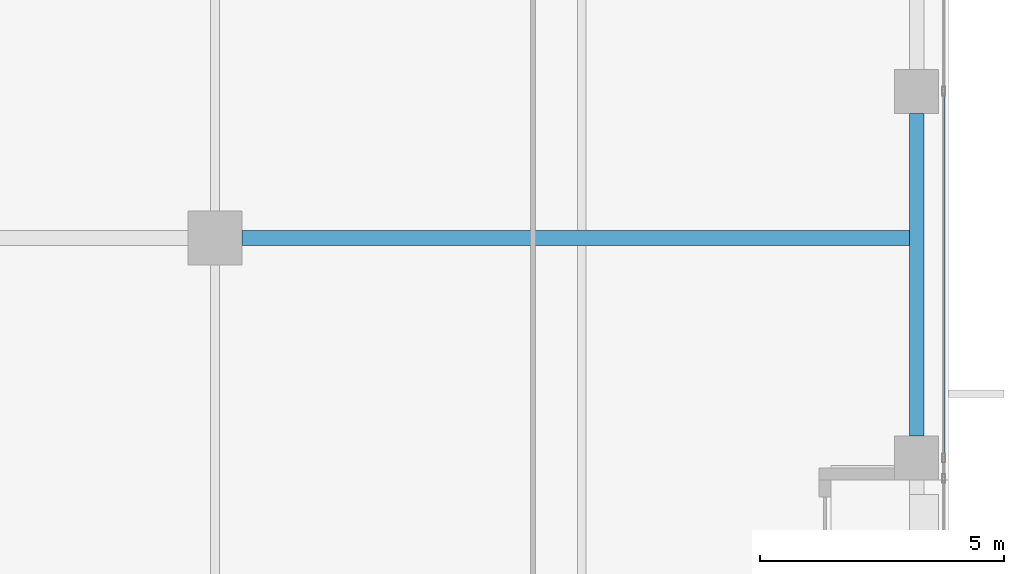
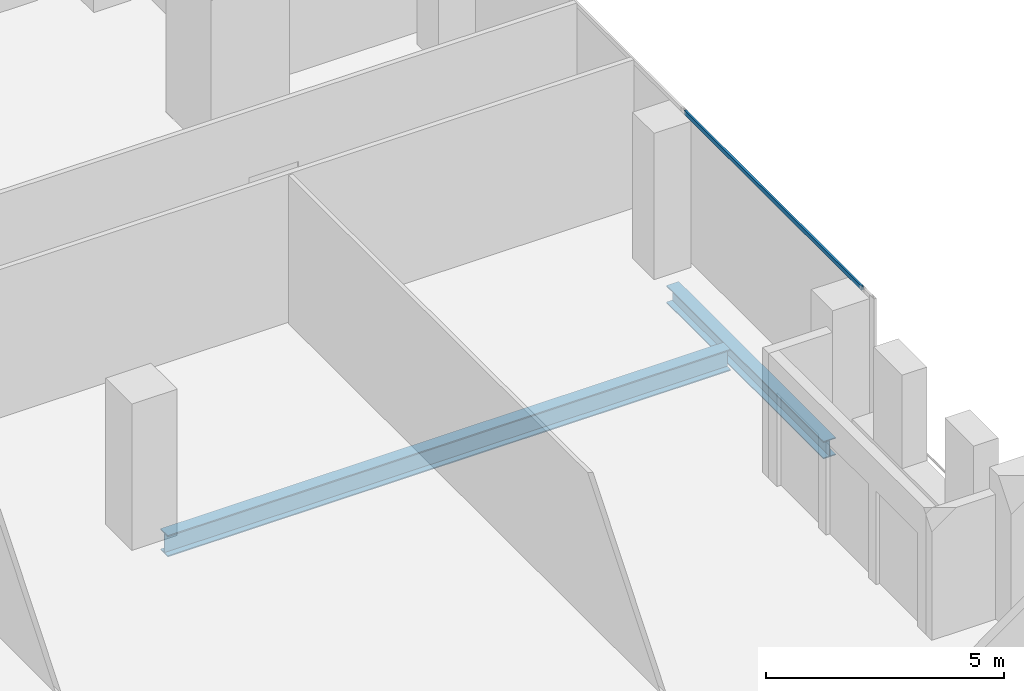
# One storey, part 14 of 36: 2 beams, 1 member, 1 element without a shape of its own.
"""IFC4 building model written with IfcOpenShell, lengths in metres."""

from ifc_helpers import new_model, si_unit, direction, frame, origin, origin_2d, place, context, subcontext, project, spatial, hollow_rectangle, i_section, extrude, source, transform, mapped, material, material_profile, profile_set, type_object, element, aggregate, save


model = new_model("IFC4")

# Units and contexts
model_context = context("Model", 3, precision=1e-05, world=origin(), true_north=direction((0.0, 1.0)))
body_context = subcontext(model_context, "Body", "Model", "MODEL_VIEW")
ifc_project = project(units=[si_unit("LENGTHUNIT", "METRE"), si_unit("AREAUNIT", "SQUARE_METRE"), si_unit("VOLUMEUNIT", "CUBIC_METRE"), si_unit("PLANEANGLEUNIT", "RADIAN"), si_unit("MASSUNIT", "GRAM", prefix="KILO")], contexts=[model_context])

# Site, building, storey
site_placement = place(None, origin())
site = spatial("IfcSite", under=ifc_project, at=site_placement, CompositionType="ELEMENT")
building_placement = place(site_placement, origin())
building = spatial("IfcBuilding", under=site, at=building_placement, Name="Khomas Fold Tower", CompositionType="ELEMENT")
storey_placement = place(building_placement, frame((0.0, 0.0, 226.199951171875)))
storey = spatial("IfcBuildingStorey", under=building, at=storey_placement, Name="L50", CompositionType="ELEMENT", Elevation=226.199951171875)

# Beams
ifc_material_1 = material(Name="Steel S355", Category="steel")
ifc_material_profile_1 = material_profile(ifc_material_1, i_section(OverallWidth=0.300048828125, OverallDepth=0.449951171875, WebThickness=0.013916015625, FlangeThickness=0.02587890625, at=origin_2d()), Name="HE 450 B")
ifc_profile_set_1 = profile_set([ifc_material_profile_1], Name="Steel S355")
beam_type_1 = type_object("IfcBeamType", Name="HE 450 B spandrel SB4", PredefinedType="SPANDREL", material=ifc_profile_set_1)
shared_shape_1 = source(origin(), body_context, "Body", "SweptSolid", [
    extrude(i_section(OverallWidth=0.300048828125, OverallDepth=0.449951171875, WebThickness=0.013916015625, FlangeThickness=0.02587890625, at=origin_2d()), origin(), (0.0, 0.0, 1.0), 6.60009765625),
])
beam_1_placement = place(storey_placement, frame((48.85009765625, 27.449951171875, -0.474853515625), z_axis=(0.0, 1.0, 0.0), x_axis=(-1.0, 0.0, 0.0)))
element("IfcBeam", 1, at=beam_1_placement, inside=storey, type_object=beam_type_1, Name="SB4", PredefinedType="SPANDREL", context=body_context, shape_type="MappedRepresentation", body=[
    mapped(shared_shape_1, transform((0.0, 0.0, 0.0))),
])
ifc_material_2 = material(Name="Steel S355", Category="steel")
ifc_material_profile_2 = material_profile(ifc_material_2, i_section(OverallWidth=0.300048828125, OverallDepth=0.550048828125, WebThickness=0.014892578125, FlangeThickness=0.029052734375, at=origin_2d()), Name="HE 550 B")
ifc_profile_set_2 = profile_set([ifc_material_profile_2], Name="Steel S355")
beam_type_2 = type_object("IfcBeamType", Name="HE 550 B beam GB4", PredefinedType="BEAM", material=ifc_profile_set_2)
shared_shape_2 = source(origin(), body_context, "Body", "SweptSolid", [
    extrude(i_section(OverallWidth=0.300048828125, OverallDepth=0.550048828125, WebThickness=0.014892578125, FlangeThickness=0.029052734375, at=origin_2d()), origin(), (0.0, 0.0, 1.0), 13.64990234375),
])
beam_2_placement = place(storey_placement, frame((35.050048828125, 31.5, -0.52490234375), z_axis=(1.0, 0.0, 0.0), x_axis=(0.0, 1.0, 0.0)))
element("IfcBeam", 2, at=beam_2_placement, inside=storey, type_object=beam_type_2, Name="GB4", PredefinedType="BEAM", context=body_context, shape_type="MappedRepresentation", body=[
    mapped(shared_shape_2, transform((0.0, 0.0, 0.0))),
])

# Curtain wall, member
ifc_material_3 = material(Name="Aluminium framed double glazing", Category="aluminium")
curtain_wall_type = type_object("IfcCurtainWallType", Name="SK-Unitised clear-glass wall, office floors CW2", PredefinedType="NOTDEFINED", material=ifc_material_3)
curtain_wall_placement = place(storey_placement, origin())
curtain_wall = element("IfcCurtainWall", 3, at=curtain_wall_placement, inside=storey, type_object=curtain_wall_type, Name="CW2 run L50 03-1", PredefinedType="NOTDEFINED")
ifc_material_4 = material(Name="Aluminium", Category="aluminium")
ifc_material_profile_3 = material_profile(ifc_material_4, hollow_rectangle(XDim=0.050048828125, YDim=0.110107421875, WallThickness=0.00390625, at=origin_2d()), Name="SK-Unitised clear-glass wall, office floors transom CW2-T")
ifc_profile_set_3 = profile_set([ifc_material_profile_3], Name="Aluminium")
member_type = type_object("IfcMemberType", Name="SK-Unitised clear-glass wall, office floors transom CW2-T", PredefinedType="USERDEFINED", material=ifc_profile_set_3)
shared_shape_3 = source(origin(), body_context, "Body", "SweptSolid", [
    extrude(hollow_rectangle(XDim=0.050048828125, YDim=0.110107421875, WallThickness=0.00390625, at=origin_2d()), origin(), (0.0, 0.0, 1.0), 7.43994140625),
])
member_placement = place(storey_placement, frame((49.39990234375, 27.030029296875, 3.695068359375), z_axis=(0.0, 1.0, 0.0), x_axis=(-1.0, 0.0, 0.0)))
member = element("IfcMember", 4, at=member_placement, type_object=member_type, Name="CW2 transom 2", ObjectType="TRANSOM", PredefinedType="USERDEFINED", context=body_context, shape_type="MappedRepresentation", body=[
    mapped(shared_shape_3, transform((0.0, 0.0, 0.0))),
])
aggregate(curtain_wall, [member])

save(model, "model.ifc")
